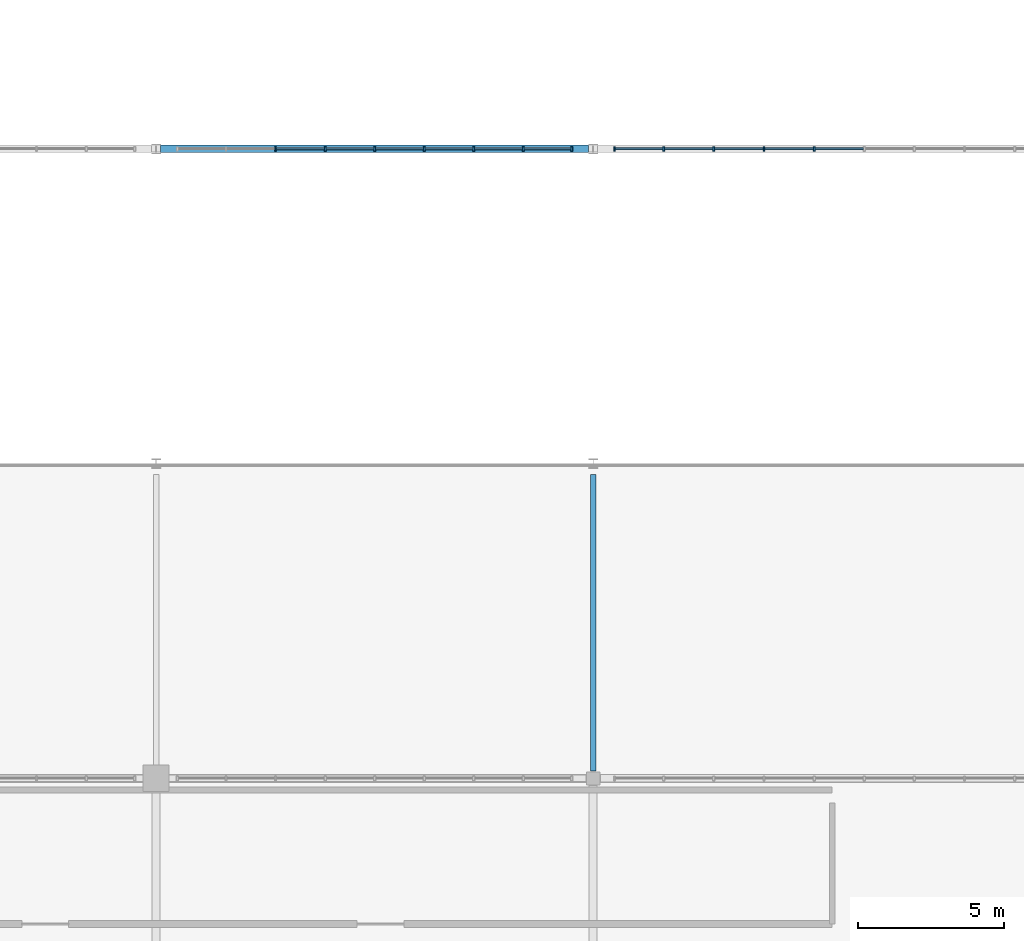
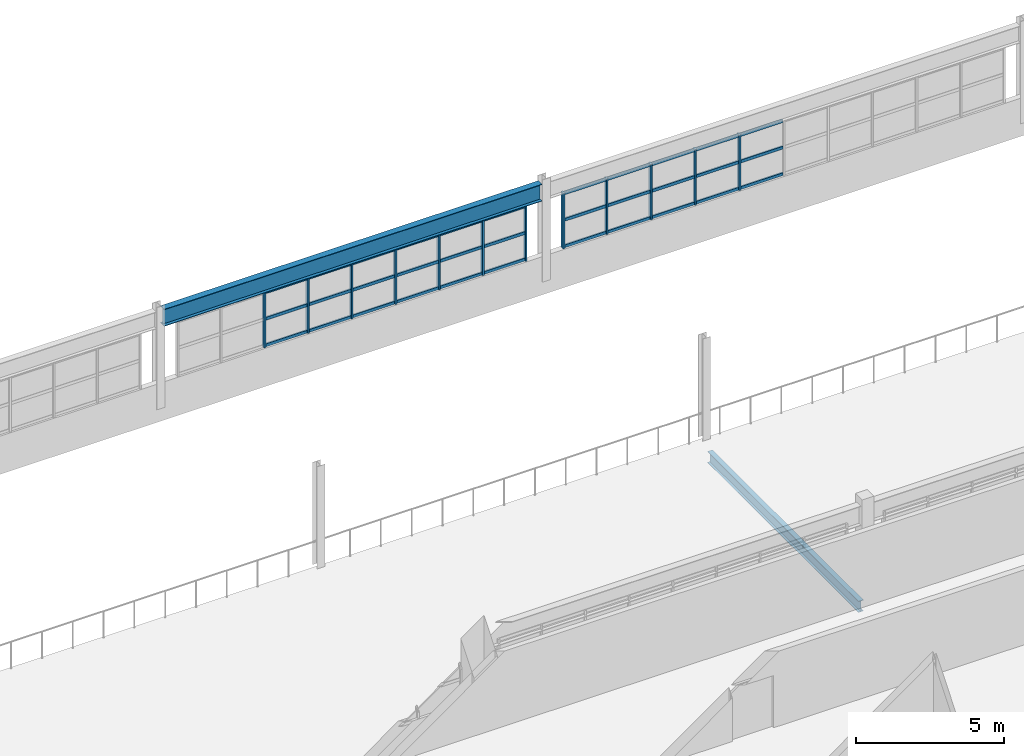
# One storey, part 21 of 92: 45 members, 2 beams, 2 elements without a shape of their own.
"""IFC4 building model written with IfcOpenShell, lengths in metres."""

from ifc_helpers import new_model, si_unit, direction, frame, origin, origin_2d, place, context, subcontext, project, spatial, rectangle, i_section, extrude, material, material_profile, profile_set, type_object, element, aggregate, save


model = new_model("IFC4")

# Units and contexts
model_context = context("Model", 3, precision=1e-05, world=origin(), true_north=direction((0.0, 1.0)))
body_context = subcontext(model_context, "Body", "Model", "MODEL_VIEW")
ifc_project = project(units=[si_unit("LENGTHUNIT", "METRE"), si_unit("AREAUNIT", "SQUARE_METRE"), si_unit("VOLUMEUNIT", "CUBIC_METRE"), si_unit("PLANEANGLEUNIT", "RADIAN"), si_unit("MASSUNIT", "GRAM", prefix="KILO")], contexts=[model_context])

# Site, building, storey
site_placement = place(None, origin())
site = spatial("IfcSite", under=ifc_project, at=site_placement, CompositionType="ELEMENT")
building_placement = place(site_placement, origin())
building = spatial("IfcBuilding", under=site, at=building_placement, Name="Solanera Park Tramway Depot", CompositionType="ELEMENT")
storey_placement = place(building_placement, frame((0.0, 0.0, 4.800048828125)))
storey = spatial("IfcBuildingStorey", under=building, at=storey_placement, Name="L01", CompositionType="ELEMENT", Elevation=4.800048828125)

# Curtain wall, members
ifc_material_1 = material(Name="Bronze-anodised thermally broken aluminium curtain wall", Category="aluminium")
curtain_wall_type = type_object("IfcCurtainWallType", Name="Workshop Daylight Ribbon Curtain Wall", PredefinedType="NOTDEFINED", material=ifc_material_1)
curtain_wall_1_placement = place(storey_placement, origin())
curtain_wall_1 = element("IfcCurtainWall", 1, at=curtain_wall_1_placement, inside=storey, type_object=curtain_wall_type, Name="L01 Workshop Daylight Ribbon Curtain Wall #148", PredefinedType="NOTDEFINED")
ifc_material_2 = material(Name="Bronze-anodised structural aluminium 6063-T6", Category="aluminium")
ifc_material_profile_1 = material_profile(ifc_material_2, rectangle(XDim=0.06494140625, YDim=0.14990234375, at=origin_2d()), Name="Curtain Wall Mullion 65x150")
ifc_profile_set_1 = profile_set([ifc_material_profile_1], Name="Bronze-anodised structural aluminium 6063-T6")
member_type_1 = type_object("IfcMemberType", Name="Curtain Wall Mullion 65x150", PredefinedType="MULLION", material=ifc_profile_set_1)
member_1_placement = place(storey_placement, frame((74.267578125, 54.0, 1.0), z_axis=(0.0, 0.0, 1.0), x_axis=(1.0, 0.0, 0.0)))
member_1 = element("IfcMember", 2, at=member_1_placement, type_object=member_type_1, Name="CW-L01-148 Mullion 1", PredefinedType="MULLION", context=body_context, shape_type="SweptSolid", body=[
    extrude(rectangle(XDim=0.06494140625, YDim=0.14990234375, at=origin_2d()), origin(), (0.0, 0.0, 1.0), 2.300048828125),
])
member_2_placement = place(storey_placement, frame((72.60009765625, 54.0, 1.0), z_axis=(0.0, 0.0, 1.0), x_axis=(1.0, 0.0, 0.0)))
member_2 = element("IfcMember", 3, at=member_2_placement, type_object=member_type_1, Name="CW-L01-148 Mullion 2", PredefinedType="MULLION", context=body_context, shape_type="SweptSolid", body=[
    extrude(rectangle(XDim=0.06494140625, YDim=0.14990234375, at=origin_2d()), origin(), (0.0, 0.0, 1.0), 2.300048828125),
])
member_3_placement = place(storey_placement, frame((70.89990234375, 54.0, 1.0), z_axis=(0.0, 0.0, 1.0), x_axis=(1.0, 0.0, 0.0)))
member_3 = element("IfcMember", 4, at=member_3_placement, type_object=member_type_1, Name="CW-L01-148 Mullion 3", PredefinedType="MULLION", context=body_context, shape_type="SweptSolid", body=[
    extrude(rectangle(XDim=0.06494140625, YDim=0.14990234375, at=origin_2d()), origin(), (0.0, 0.0, 1.0), 2.300048828125),
])
member_4_placement = place(storey_placement, frame((69.199951171875, 54.0, 1.0), z_axis=(0.0, 0.0, 1.0), x_axis=(1.0, 0.0, 0.0)))
member_4 = element("IfcMember", 5, at=member_4_placement, type_object=member_type_1, Name="CW-L01-148 Mullion 4", PredefinedType="MULLION", context=body_context, shape_type="SweptSolid", body=[
    extrude(rectangle(XDim=0.06494140625, YDim=0.14990234375, at=origin_2d()), origin(), (0.0, 0.0, 1.0), 2.300048828125),
])
member_5_placement = place(storey_placement, frame((67.5, 54.0, 1.0), z_axis=(0.0, 0.0, 1.0), x_axis=(1.0, 0.0, 0.0)))
member_5 = element("IfcMember", 6, at=member_5_placement, type_object=member_type_1, Name="CW-L01-148 Mullion 5", PredefinedType="MULLION", context=body_context, shape_type="SweptSolid", body=[
    extrude(rectangle(XDim=0.06494140625, YDim=0.14990234375, at=origin_2d()), origin(), (0.0, 0.0, 1.0), 2.300048828125),
])
member_6_placement = place(storey_placement, frame((65.800048828125, 54.0, 1.0), z_axis=(0.0, 0.0, 1.0), x_axis=(1.0, 0.0, 0.0)))
member_6 = element("IfcMember", 7, at=member_6_placement, type_object=member_type_1, Name="CW-L01-148 Mullion 6", PredefinedType="MULLION", context=body_context, shape_type="SweptSolid", body=[
    extrude(rectangle(XDim=0.06494140625, YDim=0.14990234375, at=origin_2d()), origin(), (0.0, 0.0, 1.0), 2.300048828125),
])
member_7_placement = place(storey_placement, frame((64.10009765625, 54.0, 1.0), z_axis=(0.0, 0.0, 1.0), x_axis=(1.0, 0.0, 0.0)))
member_7 = element("IfcMember", 8, at=member_7_placement, type_object=member_type_1, Name="CW-L01-148 Mullion 7", PredefinedType="MULLION", context=body_context, shape_type="SweptSolid", body=[
    extrude(rectangle(XDim=0.06494140625, YDim=0.14990234375, at=origin_2d()), origin(), (0.0, 0.0, 1.0), 2.300048828125),
])

curtain_wall_2_placement = place(storey_placement, origin())
curtain_wall_2 = element("IfcCurtainWall", 9, at=curtain_wall_2_placement, inside=storey, type_object=curtain_wall_type, Name="L01 Workshop Daylight Ribbon Curtain Wall #150", PredefinedType="NOTDEFINED")
member_8_placement = place(storey_placement, frame((82.580078125, 54.0, 1.0), z_axis=(0.0, 0.0, 1.0), x_axis=(1.0, 0.0, 0.0)))
member_8 = element("IfcMember", 10, at=member_8_placement, type_object=member_type_1, Name="CW-L01-150 Mullion 7", PredefinedType="MULLION", context=body_context, shape_type="SweptSolid", body=[
    extrude(rectangle(XDim=0.06494140625, YDim=0.14990234375, at=origin_2d()), origin(), (0.0, 0.0, 1.0), 2.300048828125),
])
member_9_placement = place(storey_placement, frame((80.860107421875, 54.0, 1.0), z_axis=(0.0, 0.0, 1.0), x_axis=(1.0, 0.0, 0.0)))
member_9 = element("IfcMember", 11, at=member_9_placement, type_object=member_type_1, Name="CW-L01-150 Mullion 8", PredefinedType="MULLION", context=body_context, shape_type="SweptSolid", body=[
    extrude(rectangle(XDim=0.06494140625, YDim=0.14990234375, at=origin_2d()), origin(), (0.0, 0.0, 1.0), 2.300048828125),
])
member_10_placement = place(storey_placement, frame((79.139892578125, 54.0, 1.0), z_axis=(0.0, 0.0, 1.0), x_axis=(1.0, 0.0, 0.0)))
member_10 = element("IfcMember", 12, at=member_10_placement, type_object=member_type_1, Name="CW-L01-150 Mullion 9", PredefinedType="MULLION", context=body_context, shape_type="SweptSolid", body=[
    extrude(rectangle(XDim=0.06494140625, YDim=0.14990234375, at=origin_2d()), origin(), (0.0, 0.0, 1.0), 2.300048828125),
])
member_11_placement = place(storey_placement, frame((77.419921875, 54.0, 1.0), z_axis=(0.0, 0.0, 1.0), x_axis=(1.0, 0.0, 0.0)))
member_11 = element("IfcMember", 13, at=member_11_placement, type_object=member_type_1, Name="CW-L01-150 Mullion 10", PredefinedType="MULLION", context=body_context, shape_type="SweptSolid", body=[
    extrude(rectangle(XDim=0.06494140625, YDim=0.14990234375, at=origin_2d()), origin(), (0.0, 0.0, 1.0), 2.300048828125),
])
member_12_placement = place(storey_placement, frame((75.732421875, 54.0, 1.0), z_axis=(0.0, 0.0, 1.0), x_axis=(1.0, 0.0, 0.0)))
member_12 = element("IfcMember", 14, at=member_12_placement, type_object=member_type_1, Name="CW-L01-150 Mullion 11", PredefinedType="MULLION", context=body_context, shape_type="SweptSolid", body=[
    extrude(rectangle(XDim=0.06494140625, YDim=0.14990234375, at=origin_2d()), origin(), (0.0, 0.0, 1.0), 2.300048828125),
])

# Member
ifc_material_3 = material(Name="Bronze-anodised structural aluminium 6063-T6", Category="aluminium")
ifc_material_profile_2 = material_profile(ifc_material_3, rectangle(XDim=0.06494140625, YDim=0.1201171875, at=origin_2d()), Name="Curtain Wall Transom 65x120")
ifc_profile_set_2 = profile_set([ifc_material_profile_2], Name="Bronze-anodised structural aluminium 6063-T6")
member_type_2 = type_object("IfcMemberType", Name="Curtain Wall Transom 65x120", PredefinedType="USERDEFINED", material=ifc_profile_set_2)
member_13_placement = place(storey_placement, frame((74.239501953125, 54.0, 1.06005859375), z_axis=(-1.0, 0.0, 0.0), x_axis=(0.0, -1.0, 0.0)))
member_13 = element("IfcMember", 15, at=member_13_placement, type_object=member_type_2, Name="CW-L01-148 Transom R1.C1", ObjectType="TRANSOM", PredefinedType="USERDEFINED", context=body_context, shape_type="SweptSolid", body=[
    extrude(rectangle(XDim=0.06494140625, YDim=0.1201171875, at=origin_2d()), origin(), (0.0, 0.0, 1.0), 1.611572265625),
])

member_14_placement = place(storey_placement, frame((72.572021484375, 54.0, 1.06005859375), z_axis=(-1.0, 0.0, 0.0), x_axis=(0.0, -1.0, 0.0)))
member_14 = element("IfcMember", 16, at=member_14_placement, type_object=member_type_2, Name="CW-L01-148 Transom R1.C2", ObjectType="TRANSOM", PredefinedType="USERDEFINED", context=body_context, shape_type="SweptSolid", body=[
    extrude(rectangle(XDim=0.06494140625, YDim=0.1201171875, at=origin_2d()), origin(), (0.0, 0.0, 1.0), 1.64404296875),
])

member_15_placement = place(storey_placement, frame((70.8720703125, 54.0, 1.06005859375), z_axis=(-1.0, 0.0, 0.0), x_axis=(0.0, -1.0, 0.0)))
member_15 = element("IfcMember", 17, at=member_15_placement, type_object=member_type_2, Name="CW-L01-148 Transom R1.C3", ObjectType="TRANSOM", PredefinedType="USERDEFINED", context=body_context, shape_type="SweptSolid", body=[
    extrude(rectangle(XDim=0.06494140625, YDim=0.1201171875, at=origin_2d()), origin(), (0.0, 0.0, 1.0), 1.64404296875),
])

member_16_placement = place(storey_placement, frame((69.172119140625, 54.0, 1.06005859375), z_axis=(-1.0, 0.0, 0.0), x_axis=(0.0, -1.0, 0.0)))
member_16 = element("IfcMember", 18, at=member_16_placement, type_object=member_type_2, Name="CW-L01-148 Transom R1.C4", ObjectType="TRANSOM", PredefinedType="USERDEFINED", context=body_context, shape_type="SweptSolid", body=[
    extrude(rectangle(XDim=0.06494140625, YDim=0.1201171875, at=origin_2d()), origin(), (0.0, 0.0, 1.0), 1.64404296875),
])

member_17_placement = place(storey_placement, frame((67.471923828125, 54.0, 1.06005859375), z_axis=(-1.0, 0.0, 0.0), x_axis=(0.0, -1.0, 0.0)))
member_17 = element("IfcMember", 19, at=member_17_placement, type_object=member_type_2, Name="CW-L01-148 Transom R1.C5", ObjectType="TRANSOM", PredefinedType="USERDEFINED", context=body_context, shape_type="SweptSolid", body=[
    extrude(rectangle(XDim=0.06494140625, YDim=0.1201171875, at=origin_2d()), origin(), (0.0, 0.0, 1.0), 1.64404296875),
])

member_18_placement = place(storey_placement, frame((65.77197265625, 54.0, 1.06005859375), z_axis=(-1.0, 0.0, 0.0), x_axis=(0.0, -1.0, 0.0)))
member_18 = element("IfcMember", 20, at=member_18_placement, type_object=member_type_2, Name="CW-L01-148 Transom R1.C6", ObjectType="TRANSOM", PredefinedType="USERDEFINED", context=body_context, shape_type="SweptSolid", body=[
    extrude(rectangle(XDim=0.06494140625, YDim=0.1201171875, at=origin_2d()), origin(), (0.0, 0.0, 1.0), 1.64404296875),
])

member_19_placement = place(storey_placement, frame((74.239501953125, 54.0, 2.14990234375), z_axis=(-1.0, 0.0, 0.0), x_axis=(0.0, -1.0, 0.0)))
member_19 = element("IfcMember", 21, at=member_19_placement, type_object=member_type_2, Name="CW-L01-148 Transom R2.C1", ObjectType="TRANSOM", PredefinedType="USERDEFINED", context=body_context, shape_type="SweptSolid", body=[
    extrude(rectangle(XDim=0.06494140625, YDim=0.1201171875, at=origin_2d()), origin(), (0.0, 0.0, 1.0), 1.611572265625),
])

member_20_placement = place(storey_placement, frame((72.572021484375, 54.0, 2.14990234375), z_axis=(-1.0, 0.0, 0.0), x_axis=(0.0, -1.0, 0.0)))
member_20 = element("IfcMember", 22, at=member_20_placement, type_object=member_type_2, Name="CW-L01-148 Transom R2.C2", ObjectType="TRANSOM", PredefinedType="USERDEFINED", context=body_context, shape_type="SweptSolid", body=[
    extrude(rectangle(XDim=0.06494140625, YDim=0.1201171875, at=origin_2d()), origin(), (0.0, 0.0, 1.0), 1.64404296875),
])

member_21_placement = place(storey_placement, frame((70.8720703125, 54.0, 2.14990234375), z_axis=(-1.0, 0.0, 0.0), x_axis=(0.0, -1.0, 0.0)))
member_21 = element("IfcMember", 23, at=member_21_placement, type_object=member_type_2, Name="CW-L01-148 Transom R2.C3", ObjectType="TRANSOM", PredefinedType="USERDEFINED", context=body_context, shape_type="SweptSolid", body=[
    extrude(rectangle(XDim=0.06494140625, YDim=0.1201171875, at=origin_2d()), origin(), (0.0, 0.0, 1.0), 1.64404296875),
])

member_22_placement = place(storey_placement, frame((69.172119140625, 54.0, 2.14990234375), z_axis=(-1.0, 0.0, 0.0), x_axis=(0.0, -1.0, 0.0)))
member_22 = element("IfcMember", 24, at=member_22_placement, type_object=member_type_2, Name="CW-L01-148 Transom R2.C4", ObjectType="TRANSOM", PredefinedType="USERDEFINED", context=body_context, shape_type="SweptSolid", body=[
    extrude(rectangle(XDim=0.06494140625, YDim=0.1201171875, at=origin_2d()), origin(), (0.0, 0.0, 1.0), 1.64404296875),
])

member_23_placement = place(storey_placement, frame((67.471923828125, 54.0, 2.14990234375), z_axis=(-1.0, 0.0, 0.0), x_axis=(0.0, -1.0, 0.0)))
member_23 = element("IfcMember", 25, at=member_23_placement, type_object=member_type_2, Name="CW-L01-148 Transom R2.C5", ObjectType="TRANSOM", PredefinedType="USERDEFINED", context=body_context, shape_type="SweptSolid", body=[
    extrude(rectangle(XDim=0.06494140625, YDim=0.1201171875, at=origin_2d()), origin(), (0.0, 0.0, 1.0), 1.64404296875),
])

member_24_placement = place(storey_placement, frame((65.77197265625, 54.0, 2.14990234375), z_axis=(-1.0, 0.0, 0.0), x_axis=(0.0, -1.0, 0.0)))
member_24 = element("IfcMember", 26, at=member_24_placement, type_object=member_type_2, Name="CW-L01-148 Transom R2.C6", ObjectType="TRANSOM", PredefinedType="USERDEFINED", context=body_context, shape_type="SweptSolid", body=[
    extrude(rectangle(XDim=0.06494140625, YDim=0.1201171875, at=origin_2d()), origin(), (0.0, 0.0, 1.0), 1.64404296875),
])

member_25_placement = place(storey_placement, frame((74.239501953125, 54.0, 3.239990234375), z_axis=(-1.0, 0.0, 0.0), x_axis=(0.0, -1.0, 0.0)))
member_25 = element("IfcMember", 27, at=member_25_placement, type_object=member_type_2, Name="CW-L01-148 Transom R3.C1", ObjectType="TRANSOM", PredefinedType="USERDEFINED", context=body_context, shape_type="SweptSolid", body=[
    extrude(rectangle(XDim=0.06494140625, YDim=0.1201171875, at=origin_2d()), origin(), (0.0, 0.0, 1.0), 1.611572265625),
])

member_26_placement = place(storey_placement, frame((72.572021484375, 54.0, 3.239990234375), z_axis=(-1.0, 0.0, 0.0), x_axis=(0.0, -1.0, 0.0)))
member_26 = element("IfcMember", 28, at=member_26_placement, type_object=member_type_2, Name="CW-L01-148 Transom R3.C2", ObjectType="TRANSOM", PredefinedType="USERDEFINED", context=body_context, shape_type="SweptSolid", body=[
    extrude(rectangle(XDim=0.06494140625, YDim=0.1201171875, at=origin_2d()), origin(), (0.0, 0.0, 1.0), 1.64404296875),
])

member_27_placement = place(storey_placement, frame((70.8720703125, 54.0, 3.239990234375), z_axis=(-1.0, 0.0, 0.0), x_axis=(0.0, -1.0, 0.0)))
member_27 = element("IfcMember", 29, at=member_27_placement, type_object=member_type_2, Name="CW-L01-148 Transom R3.C3", ObjectType="TRANSOM", PredefinedType="USERDEFINED", context=body_context, shape_type="SweptSolid", body=[
    extrude(rectangle(XDim=0.06494140625, YDim=0.1201171875, at=origin_2d()), origin(), (0.0, 0.0, 1.0), 1.64404296875),
])

member_28_placement = place(storey_placement, frame((69.172119140625, 54.0, 3.239990234375), z_axis=(-1.0, 0.0, 0.0), x_axis=(0.0, -1.0, 0.0)))
member_28 = element("IfcMember", 30, at=member_28_placement, type_object=member_type_2, Name="CW-L01-148 Transom R3.C4", ObjectType="TRANSOM", PredefinedType="USERDEFINED", context=body_context, shape_type="SweptSolid", body=[
    extrude(rectangle(XDim=0.06494140625, YDim=0.1201171875, at=origin_2d()), origin(), (0.0, 0.0, 1.0), 1.64404296875),
])

member_29_placement = place(storey_placement, frame((67.471923828125, 54.0, 3.239990234375), z_axis=(-1.0, 0.0, 0.0), x_axis=(0.0, -1.0, 0.0)))
member_29 = element("IfcMember", 31, at=member_29_placement, type_object=member_type_2, Name="CW-L01-148 Transom R3.C5", ObjectType="TRANSOM", PredefinedType="USERDEFINED", context=body_context, shape_type="SweptSolid", body=[
    extrude(rectangle(XDim=0.06494140625, YDim=0.1201171875, at=origin_2d()), origin(), (0.0, 0.0, 1.0), 1.64404296875),
])

member_30_placement = place(storey_placement, frame((65.77197265625, 54.0, 3.239990234375), z_axis=(-1.0, 0.0, 0.0), x_axis=(0.0, -1.0, 0.0)))
member_30 = element("IfcMember", 32, at=member_30_placement, type_object=member_type_2, Name="CW-L01-148 Transom R3.C6", ObjectType="TRANSOM", PredefinedType="USERDEFINED", context=body_context, shape_type="SweptSolid", body=[
    extrude(rectangle(XDim=0.06494140625, YDim=0.1201171875, at=origin_2d()), origin(), (0.0, 0.0, 1.0), 1.64404296875),
])

aggregate(curtain_wall_1, [member_1, member_2, member_3, member_4, member_5, member_6, member_7, member_13, member_14, member_15, member_16, member_17, member_18, member_19, member_20, member_21, member_22, member_23, member_24, member_25, member_26, member_27, member_28, member_29, member_30])

member_31_placement = place(storey_placement, frame((84.27197265625, 54.0, 1.06005859375), z_axis=(-1.0, 0.0, 0.0), x_axis=(0.0, -1.0, 0.0)))
member_31 = element("IfcMember", 33, at=member_31_placement, type_object=member_type_2, Name="CW-L01-150 Transom R1.C6", ObjectType="TRANSOM", PredefinedType="USERDEFINED", context=body_context, shape_type="SweptSolid", body=[
    extrude(rectangle(XDim=0.06494140625, YDim=0.1201171875, at=origin_2d()), origin(), (0.0, 0.0, 1.0), 1.6640625),
])

member_32_placement = place(storey_placement, frame((82.552001953125, 54.0, 1.06005859375), z_axis=(-1.0, 0.0, 0.0), x_axis=(0.0, -1.0, 0.0)))
member_32 = element("IfcMember", 34, at=member_32_placement, type_object=member_type_2, Name="CW-L01-150 Transom R1.C7", ObjectType="TRANSOM", PredefinedType="USERDEFINED", context=body_context, shape_type="SweptSolid", body=[
    extrude(rectangle(XDim=0.06494140625, YDim=0.1201171875, at=origin_2d()), origin(), (0.0, 0.0, 1.0), 1.6640625),
])

member_33_placement = place(storey_placement, frame((80.83203125, 54.0, 1.06005859375), z_axis=(-1.0, 0.0, 0.0), x_axis=(0.0, -1.0, 0.0)))
member_33 = element("IfcMember", 35, at=member_33_placement, type_object=member_type_2, Name="CW-L01-150 Transom R1.C8", ObjectType="TRANSOM", PredefinedType="USERDEFINED", context=body_context, shape_type="SweptSolid", body=[
    extrude(rectangle(XDim=0.06494140625, YDim=0.1201171875, at=origin_2d()), origin(), (0.0, 0.0, 1.0), 1.6640625),
])

member_34_placement = place(storey_placement, frame((79.112060546875, 54.0, 1.06005859375), z_axis=(-1.0, 0.0, 0.0), x_axis=(0.0, -1.0, 0.0)))
member_34 = element("IfcMember", 36, at=member_34_placement, type_object=member_type_2, Name="CW-L01-150 Transom R1.C9", ObjectType="TRANSOM", PredefinedType="USERDEFINED", context=body_context, shape_type="SweptSolid", body=[
    extrude(rectangle(XDim=0.06494140625, YDim=0.1201171875, at=origin_2d()), origin(), (0.0, 0.0, 1.0), 1.6640625),
])

member_35_placement = place(storey_placement, frame((77.39208984375, 54.0, 1.06005859375), z_axis=(-1.0, 0.0, 0.0), x_axis=(0.0, -1.0, 0.0)))
member_35 = element("IfcMember", 37, at=member_35_placement, type_object=member_type_2, Name="CW-L01-150 Transom R1.C10", ObjectType="TRANSOM", PredefinedType="USERDEFINED", context=body_context, shape_type="SweptSolid", body=[
    extrude(rectangle(XDim=0.06494140625, YDim=0.1201171875, at=origin_2d()), origin(), (0.0, 0.0, 1.0), 1.631591796875),
])

member_36_placement = place(storey_placement, frame((84.27197265625, 54.0, 2.14990234375), z_axis=(-1.0, 0.0, 0.0), x_axis=(0.0, -1.0, 0.0)))
member_36 = element("IfcMember", 38, at=member_36_placement, type_object=member_type_2, Name="CW-L01-150 Transom R2.C6", ObjectType="TRANSOM", PredefinedType="USERDEFINED", context=body_context, shape_type="SweptSolid", body=[
    extrude(rectangle(XDim=0.06494140625, YDim=0.1201171875, at=origin_2d()), origin(), (0.0, 0.0, 1.0), 1.6640625),
])

member_37_placement = place(storey_placement, frame((82.552001953125, 54.0, 2.14990234375), z_axis=(-1.0, 0.0, 0.0), x_axis=(0.0, -1.0, 0.0)))
member_37 = element("IfcMember", 39, at=member_37_placement, type_object=member_type_2, Name="CW-L01-150 Transom R2.C7", ObjectType="TRANSOM", PredefinedType="USERDEFINED", context=body_context, shape_type="SweptSolid", body=[
    extrude(rectangle(XDim=0.06494140625, YDim=0.1201171875, at=origin_2d()), origin(), (0.0, 0.0, 1.0), 1.6640625),
])

member_38_placement = place(storey_placement, frame((80.83203125, 54.0, 2.14990234375), z_axis=(-1.0, 0.0, 0.0), x_axis=(0.0, -1.0, 0.0)))
member_38 = element("IfcMember", 40, at=member_38_placement, type_object=member_type_2, Name="CW-L01-150 Transom R2.C8", ObjectType="TRANSOM", PredefinedType="USERDEFINED", context=body_context, shape_type="SweptSolid", body=[
    extrude(rectangle(XDim=0.06494140625, YDim=0.1201171875, at=origin_2d()), origin(), (0.0, 0.0, 1.0), 1.6640625),
])

member_39_placement = place(storey_placement, frame((79.112060546875, 54.0, 2.14990234375), z_axis=(-1.0, 0.0, 0.0), x_axis=(0.0, -1.0, 0.0)))
member_39 = element("IfcMember", 41, at=member_39_placement, type_object=member_type_2, Name="CW-L01-150 Transom R2.C9", ObjectType="TRANSOM", PredefinedType="USERDEFINED", context=body_context, shape_type="SweptSolid", body=[
    extrude(rectangle(XDim=0.06494140625, YDim=0.1201171875, at=origin_2d()), origin(), (0.0, 0.0, 1.0), 1.6640625),
])

member_40_placement = place(storey_placement, frame((77.39208984375, 54.0, 2.14990234375), z_axis=(-1.0, 0.0, 0.0), x_axis=(0.0, -1.0, 0.0)))
member_40 = element("IfcMember", 42, at=member_40_placement, type_object=member_type_2, Name="CW-L01-150 Transom R2.C10", ObjectType="TRANSOM", PredefinedType="USERDEFINED", context=body_context, shape_type="SweptSolid", body=[
    extrude(rectangle(XDim=0.06494140625, YDim=0.1201171875, at=origin_2d()), origin(), (0.0, 0.0, 1.0), 1.631591796875),
])

member_41_placement = place(storey_placement, frame((84.27197265625, 54.0, 3.239990234375), z_axis=(-1.0, 0.0, 0.0), x_axis=(0.0, -1.0, 0.0)))
member_41 = element("IfcMember", 43, at=member_41_placement, type_object=member_type_2, Name="CW-L01-150 Transom R3.C6", ObjectType="TRANSOM", PredefinedType="USERDEFINED", context=body_context, shape_type="SweptSolid", body=[
    extrude(rectangle(XDim=0.06494140625, YDim=0.1201171875, at=origin_2d()), origin(), (0.0, 0.0, 1.0), 1.6640625),
])

member_42_placement = place(storey_placement, frame((82.552001953125, 54.0, 3.239990234375), z_axis=(-1.0, 0.0, 0.0), x_axis=(0.0, -1.0, 0.0)))
member_42 = element("IfcMember", 44, at=member_42_placement, type_object=member_type_2, Name="CW-L01-150 Transom R3.C7", ObjectType="TRANSOM", PredefinedType="USERDEFINED", context=body_context, shape_type="SweptSolid", body=[
    extrude(rectangle(XDim=0.06494140625, YDim=0.1201171875, at=origin_2d()), origin(), (0.0, 0.0, 1.0), 1.6640625),
])

member_43_placement = place(storey_placement, frame((80.83203125, 54.0, 3.239990234375), z_axis=(-1.0, 0.0, 0.0), x_axis=(0.0, -1.0, 0.0)))
member_43 = element("IfcMember", 45, at=member_43_placement, type_object=member_type_2, Name="CW-L01-150 Transom R3.C8", ObjectType="TRANSOM", PredefinedType="USERDEFINED", context=body_context, shape_type="SweptSolid", body=[
    extrude(rectangle(XDim=0.06494140625, YDim=0.1201171875, at=origin_2d()), origin(), (0.0, 0.0, 1.0), 1.6640625),
])

member_44_placement = place(storey_placement, frame((79.112060546875, 54.0, 3.239990234375), z_axis=(-1.0, 0.0, 0.0), x_axis=(0.0, -1.0, 0.0)))
member_44 = element("IfcMember", 46, at=member_44_placement, type_object=member_type_2, Name="CW-L01-150 Transom R3.C9", ObjectType="TRANSOM", PredefinedType="USERDEFINED", context=body_context, shape_type="SweptSolid", body=[
    extrude(rectangle(XDim=0.06494140625, YDim=0.1201171875, at=origin_2d()), origin(), (0.0, 0.0, 1.0), 1.6640625),
])

member_45_placement = place(storey_placement, frame((77.39208984375, 54.0, 3.239990234375), z_axis=(-1.0, 0.0, 0.0), x_axis=(0.0, -1.0, 0.0)))
member_45 = element("IfcMember", 47, at=member_45_placement, type_object=member_type_2, Name="CW-L01-150 Transom R3.C10", ObjectType="TRANSOM", PredefinedType="USERDEFINED", context=body_context, shape_type="SweptSolid", body=[
    extrude(rectangle(XDim=0.06494140625, YDim=0.1201171875, at=origin_2d()), origin(), (0.0, 0.0, 1.0), 1.631591796875),
])

aggregate(curtain_wall_2, [member_8, member_9, member_10, member_11, member_12, member_31, member_32, member_33, member_34, member_35, member_36, member_37, member_38, member_39, member_40, member_41, member_42, member_43, member_44, member_45])

# Beams
ifc_material_4 = material(Name="Steel AS/NZS 3679.1 Grade 350", Category="steel")
ifc_material_profile_3 = material_profile(ifc_material_4, i_section(OverallWidth=0.1904296875, OverallDepth=0.45751953125, WebThickness=0.009033203125, FlangeThickness=0.014404296875, at=origin_2d()), Name="460UB74.6")
ifc_profile_set_3 = profile_set([ifc_material_profile_3], Name="Steel AS/NZS 3679.1 Grade 350")
beam_type_1 = type_object("IfcBeamType", Name="Steel Beam 460UB74.6", PredefinedType="BEAM", material=ifc_profile_set_3)
beam_1_placement = place(storey_placement, frame((75.0, 32.64990234375, -0.53271484375), z_axis=(0.0, 1.0, 0.0), x_axis=(-1.0, 0.0, 0.0)))
element("IfcBeam", 48, at=beam_1_placement, inside=storey, type_object=beam_type_1, Name="L01 Primary Y-Girder 460UB74.6 #0049", PredefinedType="BEAM", context=body_context, shape_type="SweptSolid", body=[
    extrude(i_section(OverallWidth=0.1904296875, OverallDepth=0.45751953125, WebThickness=0.009033203125, FlangeThickness=0.014404296875, at=origin_2d()), origin(), (0.0, 0.0, 1.0), 10.175048828125),
])
ifc_material_5 = material(Name="Steel AS/NZS 3679.1 Grade 350", Category="steel")
ifc_material_profile_4 = material_profile(ifc_material_5, i_section(OverallWidth=0.25, OverallDepth=0.699951171875, WebThickness=0.010009765625, FlangeThickness=0.02001953125, at=origin_2d()), Name="700WB130")
ifc_profile_set_4 = profile_set([ifc_material_profile_4], Name="Steel AS/NZS 3679.1 Grade 350")
beam_type_2 = type_object("IfcBeamType", Name="Steel Beam 700WB130", PredefinedType="BEAM", material=ifc_profile_set_4)
beam_2_placement = place(storey_placement, frame((60.1552734375, 54.0, 3.64990234375), z_axis=(1.0, 0.0, 0.0), x_axis=(0.0, 1.0, 0.0)))
element("IfcBeam", 49, at=beam_2_placement, inside=storey, type_object=beam_type_2, Name="Bridge Crane Runway Girder 700WB130 #0410", PredefinedType="BEAM", context=body_context, shape_type="SweptSolid", body=[
    extrude(i_section(OverallWidth=0.25, OverallDepth=0.699951171875, WebThickness=0.010009765625, FlangeThickness=0.02001953125, at=origin_2d()), origin(), (0.0, 0.0, 1.0), 14.689453125),
])

save(model, "model.ifc")
